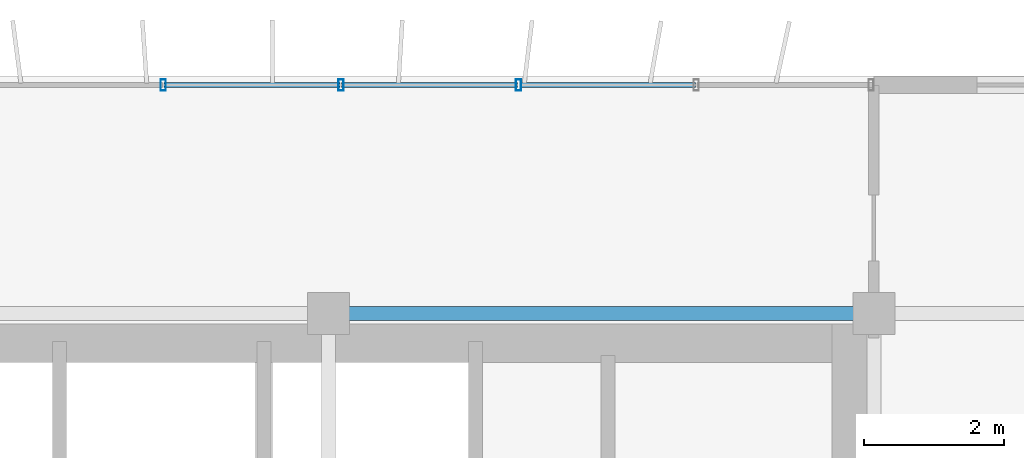
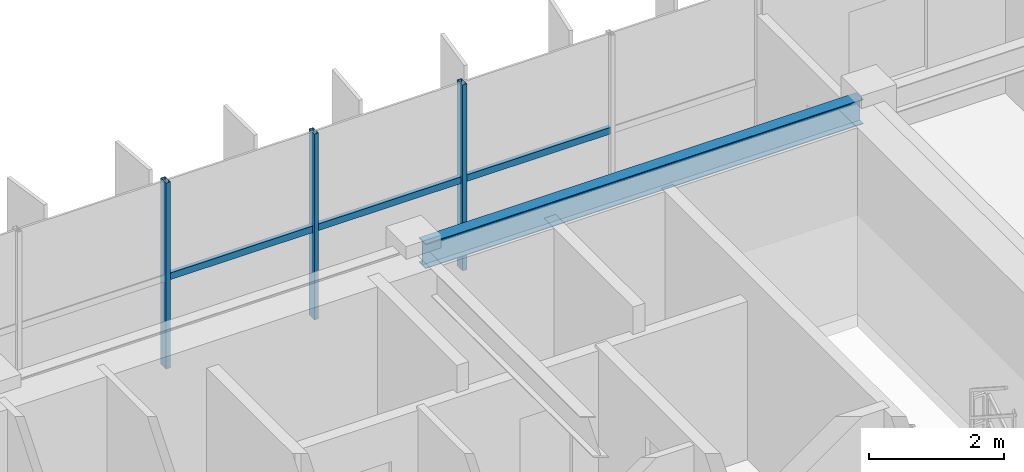
# One storey, part 12 of 23: 6 members, 1 beam, 1 element without a shape of its own.
"""IFC4 building model written with IfcOpenShell, lengths in metres."""

from ifc_helpers import new_model, si_unit, direction, frame, origin, origin_2d, place, context, subcontext, project, spatial, hollow_rectangle, i_section, extrude, source, transform, mapped, material, material_profile, profile_set, type_object, element, aggregate, save


model = new_model("IFC4")

# Units and contexts
model_context = context("Model", 3, precision=1e-05, world=origin(), true_north=direction((0.0, 1.0)))
body_context = subcontext(model_context, "Body", "Model", "MODEL_VIEW")
ifc_project = project(units=[si_unit("LENGTHUNIT", "METRE"), si_unit("AREAUNIT", "SQUARE_METRE"), si_unit("VOLUMEUNIT", "CUBIC_METRE"), si_unit("PLANEANGLEUNIT", "RADIAN"), si_unit("MASSUNIT", "GRAM", prefix="KILO")], contexts=[model_context])

# Site, building, storey
site_placement = place(None, origin())
site = spatial("IfcSite", under=ifc_project, at=site_placement, CompositionType="ELEMENT")
building_placement = place(site_placement, origin())
building = spatial("IfcBuilding", under=site, at=building_placement, Name="Trelvane Seafront Commons", CompositionType="ELEMENT")
storey_placement = place(building_placement, frame((0.0, 0.0, 259.5)))
storey = spatial("IfcBuildingStorey", under=building, at=storey_placement, Name="L67", CompositionType="ELEMENT", Elevation=259.5)

# Beam
ifc_material_1 = material(Name="Steel SM355 (S355)", Category="steel")
ifc_material_profile_1 = material_profile(ifc_material_1, i_section(OverallWidth=0.199951171875, OverallDepth=0.449951171875, WebThickness=0.009033203125, FlangeThickness=0.013916015625, at=origin_2d()), Name="H-450x200x9x14")
ifc_profile_set_1 = profile_set([ifc_material_profile_1], Name="Steel SM355 (S355)")
beam_type = type_object("IfcBeamType", Name="STR-SPD-H450", PredefinedType="SPANDREL", material=ifc_profile_set_1)
shared_shape_1 = source(origin(), body_context, "Body", "SweptSolid", [
    extrude(i_section(OverallWidth=0.199951171875, OverallDepth=0.449951171875, WebThickness=0.009033203125, FlangeThickness=0.013916015625, at=origin_2d()), origin(), (0.0, 0.0, 1.0), 7.5),
])
beam_placement = place(storey_placement, frame((51.14990234375, 45.10009765625, 3.14501953125), z_axis=(1.0, 0.0, 0.0), x_axis=(0.0, 1.0, 0.0)))
element("IfcBeam", 1, at=beam_placement, inside=storey, type_object=beam_type, Name="L67 Primary Girder G-27", PredefinedType="SPANDREL", context=body_context, shape_type="MappedRepresentation", body=[
    mapped(shared_shape_1, transform((0.0, 0.0, 0.0), x_axis=(1.0, 0.0, 0.0), y_axis=(0.0, 1.0, 0.0), z_axis=(0.0, 0.0, 1.0), scale=1.0)),
])

# Curtain wall, members
ifc_material_2 = material(Name="Anodised pale-silver aluminium", Category="aluminium")
curtain_wall_type = type_object("IfcCurtainWallType", Name="ARCH-CW5-UPTOWER", PredefinedType="NOTDEFINED", material=ifc_material_2)
curtain_wall_placement = place(storey_placement, origin())
curtain_wall = element("IfcCurtainWall", 2, at=curtain_wall_placement, inside=storey, type_object=curtain_wall_type, Name="CW-L67-0111", PredefinedType="NOTDEFINED")
ifc_material_profile_2 = material_profile(ifc_material_2, hollow_rectangle(XDim=0.070068359375, YDim=0.1201171875, WallThickness=0.00390625, at=origin_2d()), Name="TRAN-70x120x4")
ifc_profile_set_2 = profile_set([ifc_material_profile_2], Name="Anodised pale-silver aluminium")
member_type_1 = type_object("IfcMemberType", Name="ARCH-CW-TRAN-120", PredefinedType="USERDEFINED", material=ifc_profile_set_2)
shared_shape_2 = source(origin(), body_context, "Body", "SweptSolid", [
    extrude(hollow_rectangle(XDim=0.070068359375, YDim=0.1201171875, WallThickness=0.00390625, at=origin_2d()), origin(), (0.0, 0.0, 1.0), 2.51708984375),
])
member_1_placement = place(storey_placement, frame((51.1884765625, 48.3701171875, 1.617919921875), z_axis=(1.0, 0.0, 0.0), x_axis=(0.0, 1.0, 0.0)))
member_1 = element("IfcMember", 3, at=member_1_placement, type_object=member_type_1, Name="CW-L67-0111-T14", ObjectType="TRANSOM", PredefinedType="USERDEFINED", context=body_context, shape_type="MappedRepresentation", body=[
    mapped(shared_shape_2, transform((0.0, 0.0, 0.0), x_axis=(1.0, 0.0, 0.0), y_axis=(0.0, 1.0, 0.0), z_axis=(0.0, 0.0, 1.0), scale=1.0)),
])
shared_shape_3 = source(origin(), body_context, "Body", "SweptSolid", [
    extrude(hollow_rectangle(XDim=0.070068359375, YDim=0.1201171875, WallThickness=0.00390625, at=origin_2d()), origin(), (0.0, 0.0, 1.0), 2.517333984375),
])
member_2_placement = place(storey_placement, frame((48.647216796875, 48.3701171875, 1.617919921875), z_axis=(1.0, 0.0, 0.0), x_axis=(0.0, 1.0, 0.0)))
member_2 = element("IfcMember", 4, at=member_2_placement, type_object=member_type_1, Name="CW-L67-0111-T13", ObjectType="TRANSOM", PredefinedType="USERDEFINED", context=body_context, shape_type="MappedRepresentation", body=[
    mapped(shared_shape_3, transform((0.0, 0.0, 0.0), x_axis=(1.0, 0.0, 0.0), y_axis=(0.0, 1.0, 0.0), z_axis=(0.0, 0.0, 1.0), scale=1.0)),
])
member_3_placement = place(storey_placement, frame((53.7294921875, 48.3701171875, 1.617919921875), z_axis=(1.0, 0.0, 0.0), x_axis=(0.0, 1.0, 0.0)))
member_3 = element("IfcMember", 5, at=member_3_placement, type_object=member_type_1, Name="CW-L67-0111-T15", ObjectType="TRANSOM", PredefinedType="USERDEFINED", context=body_context, shape_type="MappedRepresentation", body=[
    mapped(shared_shape_3, transform((0.0, 0.0, 0.0), x_axis=(1.0, 0.0, 0.0), y_axis=(0.0, 1.0, 0.0), z_axis=(0.0, 0.0, 1.0), scale=1.0)),
])
ifc_material_profile_3 = material_profile(ifc_material_2, hollow_rectangle(XDim=0.074951171875, YDim=0.159912109375, WallThickness=0.00390625, at=origin_2d()), Name="MULL-75x160x4")
ifc_profile_set_3 = profile_set([ifc_material_profile_3], Name="Anodised pale-silver aluminium")
member_type_2 = type_object("IfcMemberType", Name="ARCH-CW-MULL-160", PredefinedType="MULLION", material=ifc_profile_set_3)
shared_shape_4 = source(origin(), body_context, "Body", "SweptSolid", [
    extrude(hollow_rectangle(XDim=0.074951171875, YDim=0.159912109375, WallThickness=0.00390625, at=origin_2d()), origin(), (0.0, 0.0, 1.0), 3.3701171875),
])
member_4_placement = place(storey_placement, frame((48.63525390625, 48.3701171875, 0.0), z_axis=(0.0, 0.0, 1.0), x_axis=(1.0, 0.0, 0.0)))
member_4 = element("IfcMember", 6, at=member_4_placement, type_object=member_type_2, Name="CW-L67-0111-M13", PredefinedType="MULLION", context=body_context, shape_type="MappedRepresentation", body=[
    mapped(shared_shape_4, transform((0.0, 0.0, 0.0), x_axis=(1.0, 0.0, 0.0), y_axis=(0.0, 1.0, 0.0), z_axis=(0.0, 0.0, 1.0), scale=1.0)),
])
member_5_placement = place(storey_placement, frame((51.176513671875, 48.3701171875, 0.0), z_axis=(0.0, 0.0, 1.0), x_axis=(1.0, 0.0, 0.0)))
member_5 = element("IfcMember", 7, at=member_5_placement, type_object=member_type_2, Name="CW-L67-0111-M14", PredefinedType="MULLION", context=body_context, shape_type="MappedRepresentation", body=[
    mapped(shared_shape_4, transform((0.0, 0.0, 0.0), x_axis=(1.0, 0.0, 0.0), y_axis=(0.0, 1.0, 0.0), z_axis=(0.0, 0.0, 1.0), scale=1.0)),
])
member_6_placement = place(storey_placement, frame((53.717529296875, 48.3701171875, 0.0), z_axis=(0.0, 0.0, 1.0), x_axis=(1.0, 0.0, 0.0)))
member_6 = element("IfcMember", 8, at=member_6_placement, type_object=member_type_2, Name="CW-L67-0111-M15", PredefinedType="MULLION", context=body_context, shape_type="MappedRepresentation", body=[
    mapped(shared_shape_4, transform((0.0, 0.0, 0.0), x_axis=(1.0, 0.0, 0.0), y_axis=(0.0, 1.0, 0.0), z_axis=(0.0, 0.0, 1.0), scale=1.0)),
])
aggregate(curtain_wall, [member_4, member_5, member_6, member_2, member_1, member_3])

save(model, "model.ifc")
